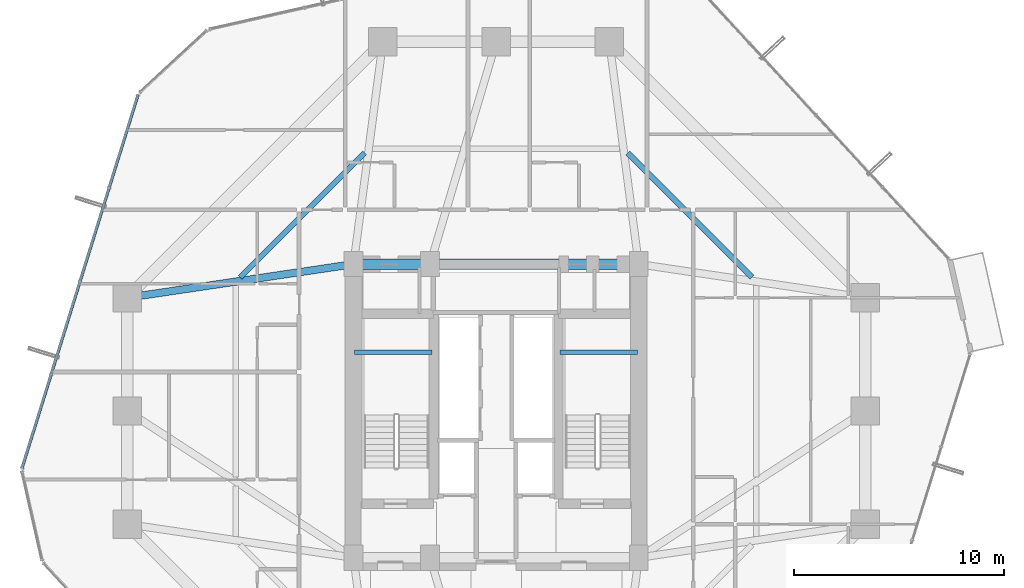
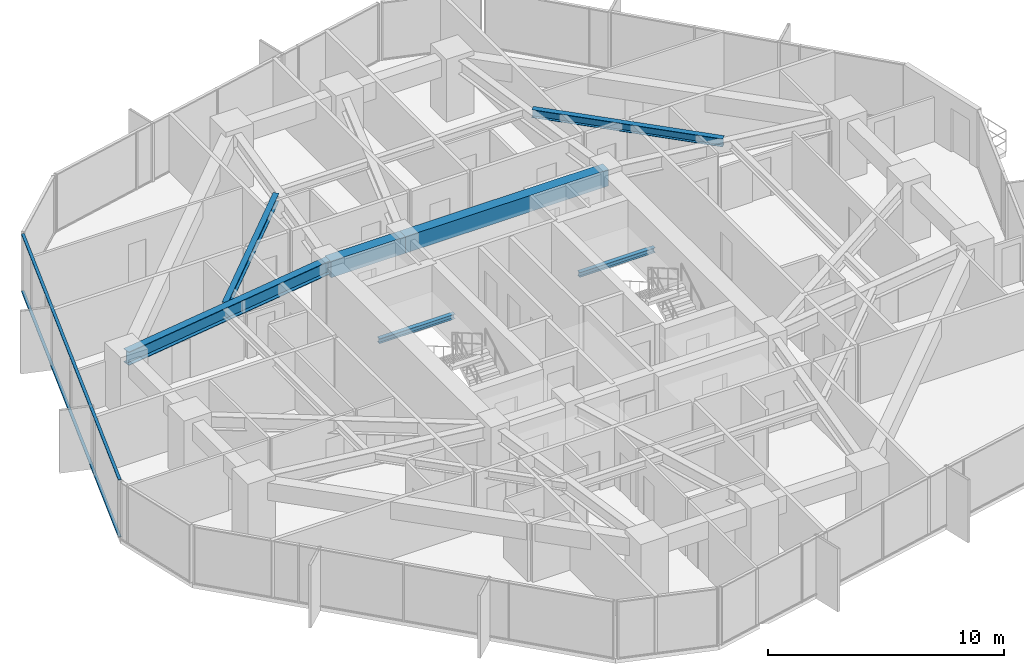
# One storey, part 13 of 39: 7 beams, 2 members, 1 element without a shape of its own.
"""IFC4 building model written with IfcOpenShell, lengths in metres."""

import ifcopenshell
import ifcopenshell.guid

model = None  # the IFC model being written
_history = None  # IfcOwnerHistory: only IFC2X3 demands one
_inside = {}  # id of a spatial element -> (the spatial element, [elements in it])
_under = {}  # id of a project, library or spatial element -> (it, [spatial elements below it])
_declared = {}  # id of a project -> (the project, [libraries it declares])
_typed = {}  # id of a type object -> (the type object, [elements of that type])
_made_of = {}  # id of a material, layer set ... -> (it, [elements and type objects made of it])


def new_model(schema):
    """Start an empty IFC model of exactly this schema.

    Asked for "IFC4X3", IfcOpenShell would pick the latest addendum, in which some entities
    have other attributes; the version numbers below select the first issue.
    IFC2X3 requires an IfcOwnerHistory on every rooted entity: one is made here for all.
    """
    global model, _history
    if schema == "IFC4X3":
        model = ifcopenshell.file(schema_version=(4, 3, 0, 0))
    else:
        model = ifcopenshell.file(schema=schema)
    _inside.clear()
    _under.clear()
    _declared.clear()
    _typed.clear()
    _made_of.clear()
    _history = None
    if model.schema == "IFC2X3":
        org = make("IfcOrganization", Name="unknown")
        user = make(
            "IfcPersonAndOrganization",
            ThePerson=make("IfcPerson", FamilyName="unknown"),
            TheOrganization=org,
        )
        app = make(
            "IfcApplication",
            ApplicationDeveloper=org,
            Version="unknown",
            ApplicationFullName="unknown",
            ApplicationIdentifier="unknown",
        )
        _history = make(
            "IfcOwnerHistory",
            OwningUser=user,
            OwningApplication=app,
            ChangeAction="ADDED",
            CreationDate=0,
        )
    return model


def make(cls, **values):
    """One entity of the class cls with the attributes given. An attribute that is None is left unset."""
    return model.create_entity(
        cls, **{name: value for name, value in values.items() if value is not None}
    )


def rooted(cls, **values):
    """An entity with a GlobalId (a new one), such as an element, a storey or a relation."""
    return make(cls, GlobalId=ifcopenshell.guid.new(), OwnerHistory=_history, **values)


def si_unit(unit_type, name, prefix=None):
    """IfcSIUnit, for example si_unit("LENGTHUNIT", "METRE", prefix="MILLI")."""
    return make("IfcSIUnit", UnitType=unit_type, Prefix=prefix, Name=name)


def assignment(units):
    """IfcUnitAssignment: the units of a project."""
    return None if units is None else make("IfcUnitAssignment", Units=units)


def point(xyz):
    """IfcCartesianPoint."""
    return None if xyz is None else make("IfcCartesianPoint", Coordinates=xyz)


def direction(xyz):
    """IfcDirection."""
    return None if xyz is None else make("IfcDirection", DirectionRatios=xyz)


def frame(location, z_axis=None, x_axis=None):
    """IfcAxis2Placement3D, a coordinate frame: its origin and axes. An axis left out is left unset."""
    return make(
        "IfcAxis2Placement3D",
        Location=point(location),
        Axis=direction(z_axis),
        RefDirection=direction(x_axis),
    )


def frame_2d(location, x_axis=None):
    """IfcAxis2Placement2D, a coordinate frame in the plane: its origin and x axis."""
    return make(
        "IfcAxis2Placement2D", Location=point(location), RefDirection=direction(x_axis)
    )


def origin():
    """The frame at (0, 0, 0) with its axes left unset."""
    return frame((0.0, 0.0, 0.0))


def origin_2d():
    """The frame at (0, 0) in the plane with its x axis left unset."""
    return frame_2d((0.0, 0.0))


def place(relative_to, where):
    """IfcLocalPlacement: puts the frame where relative to a parent placement (None: the world)."""
    return make(
        "IfcLocalPlacement", PlacementRelTo=relative_to, RelativePlacement=where
    )


def context(
    kind, dimensions, precision=None, world=None, true_north=None, identifier=None
):
    """IfcGeometricRepresentationContext, for example the 3D "Model" context."""
    return make(
        "IfcGeometricRepresentationContext",
        ContextIdentifier=identifier,
        ContextType=kind,
        CoordinateSpaceDimension=dimensions,
        Precision=precision,
        WorldCoordinateSystem=world,
        TrueNorth=true_north,
    )


def subcontext(parent, identifier, kind, view, scale=None):
    """IfcGeometricRepresentationSubContext, for example "Body" below "Model"."""
    return make(
        "IfcGeometricRepresentationSubContext",
        ContextIdentifier=identifier,
        ContextType=kind,
        ParentContext=parent,
        TargetScale=scale,
        TargetView=view,
    )


def project(units=None, contexts=None):
    """IfcProject with its units and contexts."""
    return rooted(
        "IfcProject",
        Name="project",
        RepresentationContexts=contexts,
        UnitsInContext=assignment(units),
    )


def spatial(cls, under=None, at=None, **own):
    """A site, building, storey or space (cls), placed at a placement, below another one or the project."""
    s = rooted(cls, ObjectPlacement=at, **own)
    if under is not None:
        _under.setdefault(under.id(), (under, []))[1].append(s)
    return s


def profile(cls, at=None, kind="AREA", **sizes):
    """A parametric profile (cls). Its sizes go by their IFC names, for example OverallWidth=200.0."""
    return make(cls, ProfileType=kind, Position=at, **sizes)


def rectangle(**sizes):
    """IfcRectangleProfileDef."""
    return profile("IfcRectangleProfileDef", **sizes)


def hollow_rectangle(**sizes):
    """IfcRectangleHollowProfileDef."""
    return profile("IfcRectangleHollowProfileDef", **sizes)


def i_section(**sizes):
    """IfcIShapeProfileDef."""
    return profile("IfcIShapeProfileDef", **sizes)


def extrude(swept, where, along, depth):
    """IfcExtrudedAreaSolid: the profile swept, set in the frame where, extruded along a direction by depth."""
    return make(
        "IfcExtrudedAreaSolid",
        SweptArea=swept,
        Position=where,
        ExtrudedDirection=direction(along),
        Depth=depth,
    )


def shape(context_of_items, identifier, shape_type, items):
    """IfcShapeRepresentation: the items that make up one representation, for example the "Body"."""
    return make(
        "IfcShapeRepresentation",
        ContextOfItems=context_of_items,
        RepresentationIdentifier=identifier,
        RepresentationType=shape_type,
        Items=items,
    )


def source(mapping_origin, context_of_items, identifier, shape_type, items):
    """IfcRepresentationMap: a shape defined once, which mapped items show again and again."""
    return make(
        "IfcRepresentationMap",
        MappingOrigin=mapping_origin,
        MappedRepresentation=shape(context_of_items, identifier, shape_type, items),
    )


def transform(
    local_origin,
    x_axis=None,
    y_axis=None,
    z_axis=None,
    scale=None,
    scale2=None,
    scale3=None,
    uniform=True,
):
    """IfcCartesianTransformationOperator3D, or its non-uniform kind. x_axis, y_axis, z_axis: its Axis1, 2, 3."""
    if uniform:
        return make(
            "IfcCartesianTransformationOperator3D",
            Axis1=direction(x_axis),
            Axis2=direction(y_axis),
            LocalOrigin=point(local_origin),
            Scale=scale,
            Axis3=direction(z_axis),
        )
    return make(
        "IfcCartesianTransformationOperator3DnonUniform",
        Axis1=direction(x_axis),
        Axis2=direction(y_axis),
        LocalOrigin=point(local_origin),
        Scale=scale,
        Axis3=direction(z_axis),
        Scale2=scale2,
        Scale3=scale3,
    )


def mapped(mapping_source, mapping_target):
    """IfcMappedItem: shows the shape of a source again, moved by a transform."""
    return make(
        "IfcMappedItem", MappingSource=mapping_source, MappingTarget=mapping_target
    )


def material(Name=None, Category=None):
    """IfcMaterial."""
    return make("IfcMaterial", Name=Name, Category=Category)


def layer(
    of_material, thickness, ventilated=None, Name=None, Category=None, Priority=None
):
    """IfcMaterialLayer: one layer of a wall or slab, of a material (None: an air gap)."""
    return make(
        "IfcMaterialLayer",
        Material=of_material,
        LayerThickness=thickness,
        IsVentilated=ventilated,
        Name=Name,
        Category=Category,
        Priority=Priority,
    )


def layer_set(layers, Name=None):
    """IfcMaterialLayerSet."""
    return make("IfcMaterialLayerSet", MaterialLayers=layers, LayerSetName=Name)


def material_profile(
    of_material, cross_section, Name=None, Category=None, Priority=None
):
    """IfcMaterialProfile: a cross section and its material."""
    return make(
        "IfcMaterialProfile",
        Name=Name,
        Material=of_material,
        Profile=cross_section,
        Priority=Priority,
        Category=Category,
    )


def profile_set(profiles, Name=None, composite=None):
    """IfcMaterialProfileSet."""
    return make(
        "IfcMaterialProfileSet",
        Name=Name,
        MaterialProfiles=profiles,
        CompositeProfile=composite,
    )


def made_of(thing, what):
    """Note that an element or type object is made of a material, layer set ...; save() writes the relation."""
    if what is not None:
        _made_of.setdefault(what.id(), (what, []))[1].append(thing)
    return thing


def type_object(cls, material=None, **own):
    """A type object (cls), such as IfcWallType, which elements share."""
    return made_of(rooted(cls, **own), material)


def element(
    cls,
    number,
    at=None,
    inside=None,
    cuts=None,
    type_object=None,
    material=None,
    context=None,
    identifier="Body",
    shape_type=None,
    held_by="IfcProductDefinitionShape",
    body=None,
    shapes=None,
    **own,
):
    """One element of the class cls, such as IfcWall. Its Tag is "e" and its number.

    at: its placement. inside: the storey or other place that contains it. cuts: it is an
    opening in that element (IfcRelVoidsElement). A single representation is given by context,
    identifier, shape_type and body (its items); several are given by shapes. held_by: the class
    of the entity that holds the representations. save() writes the other relations.
    """
    e = rooted(cls, Tag="e%d" % number, ObjectPlacement=at, **own)
    if body is not None:
        shapes = [shape(context, identifier, shape_type, body)]
    if shapes is not None:
        e.Representation = make(held_by, Representations=shapes)
    if inside is not None:
        _inside.setdefault(inside.id(), (inside, []))[1].append(e)
    if cuts is not None:
        rooted(
            "IfcRelVoidsElement", RelatingBuildingElement=cuts, RelatedOpeningElement=e
        )
    if type_object is not None:
        _typed.setdefault(type_object.id(), (type_object, []))[1].append(e)
    return made_of(e, material)


def aggregate(whole, parts):
    """IfcRelAggregates: a whole, such as a stair, and the parts it consists of."""
    return rooted("IfcRelAggregates", RelatingObject=whole, RelatedObjects=parts)


def save(model, path):
    """Write the relations noted so far, then the file.

    IfcRelAggregates (storeys below a building ...), IfcRelContainedInSpatialStructure (elements
    in a storey), IfcRelDefinesByType, IfcRelAssociatesMaterial and IfcRelDeclares: one each for
    every whole, place, type object, material and project.
    """
    for whole, parts in _under.values():
        aggregate(whole, parts)
    for where, things in _inside.values():
        rooted(
            "IfcRelContainedInSpatialStructure",
            RelatedElements=things,
            RelatingStructure=where,
        )
    for kind, things in _typed.values():
        rooted("IfcRelDefinesByType", RelatedObjects=things, RelatingType=kind)
    for what, things in _made_of.values():
        rooted("IfcRelAssociatesMaterial", RelatedObjects=things, RelatingMaterial=what)
    for by, libraries in _declared.values():
        rooted("IfcRelDeclares", RelatingContext=by, RelatedDefinitions=libraries)
    model.write(path)


model = new_model("IFC4")

# Units and contexts
model_context = context("Model", 3, precision=1e-05, world=origin(), true_north=direction((0.0, 1.0)))
body_context = subcontext(model_context, "Body", "Model", "MODEL_VIEW")
ifc_project = project(units=[si_unit("LENGTHUNIT", "METRE"), si_unit("AREAUNIT", "SQUARE_METRE"), si_unit("VOLUMEUNIT", "CUBIC_METRE"), si_unit("PLANEANGLEUNIT", "RADIAN"), si_unit("MASSUNIT", "GRAM", prefix="KILO")], contexts=[model_context])

# Site, building, storey
site_placement = place(None, origin())
site = spatial("IfcSite", under=ifc_project, at=site_placement, CompositionType="ELEMENT")
building_placement = place(site_placement, origin())
building = spatial("IfcBuilding", under=site, at=building_placement, Name="Veraguas Prism Commons", CompositionType="ELEMENT")
storey_placement = place(building_placement, frame((0.0, 0.0, 67.35009765625)))
storey = spatial("IfcBuildingStorey", under=building, at=storey_placement, Name="L18", CompositionType="ELEMENT", Elevation=67.35009765625)

# Beams
ifc_material_1 = material(Name="Concrete C50/60", Category="concrete")
ifc_material_profile_1 = material_profile(ifc_material_1, rectangle(XDim=0.5, YDim=0.85009765625, at=origin_2d()), Name="RC500X850")
ifc_profile_set_1 = profile_set([ifc_material_profile_1], Name="Concrete C50/60")
beam_type_1 = type_object("IfcBeamType", Name="Core Coupling Beam RC 500x850", PredefinedType="BEAM", material=ifc_profile_set_1)
beam_1_placement = place(storey_placement, frame((17.199951171875, 31.0, 2.574951171875), z_axis=(1.0, 0.0, 0.0), x_axis=(0.0, 1.0, 0.0)))
element("IfcBeam", 1, at=beam_1_placement, inside=storey, type_object=beam_type_1, Name="Core Coupling Beam L18-CRN1", PredefinedType="BEAM", context=body_context, shape_type="SweptSolid", body=[
    extrude(rectangle(XDim=0.5, YDim=0.85009765625, at=origin_2d()), origin(), (0.0, 0.0, 1.0), 3.650146484375),
])
beam_2_placement = place(storey_placement, frame((20.85009765625, 31.0, 2.574951171875), z_axis=(1.0, 0.0, 0.0), x_axis=(0.0, 1.0, 0.0)))
element("IfcBeam", 2, at=beam_2_placement, inside=storey, type_object=beam_type_1, Name="Core Coupling Beam L18-CRN2", PredefinedType="BEAM", context=body_context, shape_type="SweptSolid", body=[
    extrude(rectangle(XDim=0.5, YDim=0.85009765625, at=origin_2d()), origin(), (0.0, 0.0, 1.0), 9.949951171875),
])
ifc_material_2 = material(Name="Steel ASTM A992 Grade 50", Category="steel")
ifc_material_profile_2 = material_profile(ifc_material_2, i_section(OverallWidth=0.260986328125, OverallDepth=0.419921875, WebThickness=0.01171875, FlangeThickness=0.019287109375, at=origin_2d()), Name="W410X114")
ifc_profile_set_2 = profile_set([ifc_material_profile_2], Name="Steel ASTM A992 Grade 50")
beam_type_2 = type_object("IfcBeamType", Name="Lower Floor Joist W410x114", PredefinedType="JOIST", material=ifc_profile_set_2)
for number, where, z_axis, x_axis, name in (
    (3, (36.20703125, 30.376953125, 2.789794921875), (-0.707092226423, 0.70712133565, 0.0), (-0.70712133565, -0.707092226423, 0.0), "Composite Floor Joist L18-JS03"),
    (4, (17.723388671875, 36.3076171875, 2.789794921875), (-0.707092226423, -0.70712133565, 0.0), (0.70712133565, -0.707092226423, 0.0), "Composite Floor Joist L18-JS06"),
):
    element("IfcBeam", number, at=place(storey_placement, frame(where, z_axis=z_axis, x_axis=x_axis)), inside=storey, type_object=beam_type_2, Name=name, PredefinedType="JOIST", context=body_context, shape_type="SweptSolid", body=[
        extrude(i_section(OverallWidth=0.260986328125, OverallDepth=0.419921875, WebThickness=0.01171875, FlangeThickness=0.019287109375, at=origin_2d()), origin(), (0.0, 0.0, 1.0), 8.386962890625),
    ])
ifc_material_profile_3 = material_profile(ifc_material_2, i_section(OverallWidth=0.202880859375, OverallDepth=0.251953125, WebThickness=0.008056640625, FlangeThickness=0.013427734375, at=origin_2d()), Name="W250X58")
ifc_profile_set_3 = profile_set([ifc_material_profile_3], Name="Steel ASTM A992 Grade 50")
beam_type_3 = type_object("IfcBeamType", Name="Structural Opening Lintel W250x58", PredefinedType="LINTEL", material=ifc_profile_set_3)
for number, where, z_axis, x_axis, name in (
    (5, (17.25, 26.800048828125, 1.298828125), (1.0, 0.0, 0.0), (0.0, 1.0, 0.0), "Stair ST-01 Half-Landing Support Beam L18-1"),
    (6, (27.050048828125, 26.800048828125, 1.298828125), (1.0, 0.0, 0.0), (0.0, 1.0, 0.0), "Stair ST-02 Half-Landing Support Beam L18-1"),
):
    element("IfcBeam", number, at=place(storey_placement, frame(where, z_axis=z_axis, x_axis=x_axis)), inside=storey, type_object=beam_type_3, Name=name, PredefinedType="LINTEL", context=body_context, shape_type="SweptSolid", body=[
        extrude(i_section(OverallWidth=0.202880859375, OverallDepth=0.251953125, WebThickness=0.008056640625, FlangeThickness=0.013427734375, at=origin_2d()), origin(), (0.0, 0.0, 1.0), 3.699951171875),
    ])
ifc_material_profile_4 = material_profile(ifc_material_2, i_section(OverallWidth=0.35595703125, OverallDepth=0.700927734375, WebThickness=0.016845703125, FlangeThickness=0.02734375, at=origin_2d()), Name="W690X240")
ifc_profile_set_4 = profile_set([ifc_material_profile_4], Name="Steel ASTM A992 Grade 50")
beam_type_4 = type_object("IfcBeamType", Name="Zone 1 Radial Girder W690x240", PredefinedType="BEAM", material=ifc_profile_set_4)
beam_3_placement = place(storey_placement, frame((6.39990234375, 29.39990234375, 2.6494140625), z_axis=(0.989202261707, 0.146556765224, 0.0), x_axis=(-0.146556765224, 0.989202261707, 0.0)))
element("IfcBeam", 7, at=beam_3_placement, inside=storey, type_object=beam_type_4, Name="Radial Floor Girder L18-RD07", PredefinedType="BEAM", context=body_context, shape_type="SweptSolid", body=[
    extrude(i_section(OverallWidth=0.35595703125, OverallDepth=0.700927734375, WebThickness=0.016845703125, FlangeThickness=0.02734375, at=origin_2d()), origin(), (0.0, 0.0, 1.0), 10.91796875),
])

# Curtain wall, members
ifc_material_3 = material(Name="Anodised aluminium EN AW-6063 T6", Category="aluminium")
ifc_layer = layer(ifc_material_3, 0.169921875, Name="Unitised Flush Curtain Wall Zone 1", Category="aluminium")
ifc_layer_set = layer_set([ifc_layer], Name="Anodised aluminium EN AW-6063 T6")
curtain_wall_type = type_object("IfcCurtainWallType", Name="Unitised Flush Curtain Wall Zone 1", PredefinedType="NOTDEFINED", material=ifc_layer_set)
curtain_wall_placement = place(storey_placement, origin())
curtain_wall = element("IfcCurtainWall", 8, at=curtain_wall_placement, inside=storey, type_object=curtain_wall_type, Name="Tower Facade Curtain Wall L18-F3", PredefinedType="NOTDEFINED")
ifc_material_profile_5 = material_profile(ifc_material_3, hollow_rectangle(XDim=0.054931640625, YDim=0.135009765625, WallThickness=0.0029296875, at=origin_2d()), Name="AL55X135X3")
ifc_profile_set_5 = profile_set([ifc_material_profile_5], Name="Anodised aluminium EN AW-6063 T6")
member_type = type_object("IfcMemberType", Name="Curtain Wall Transom Standard AL 55x135x3", PredefinedType="USERDEFINED", material=ifc_profile_set_5)
shared_shape = source(origin(), body_context, "Body", "SweptSolid", [
    extrude(hollow_rectangle(XDim=0.054931640625, YDim=0.135009765625, WallThickness=0.0029296875, at=origin_2d()), origin(), (0.0, 0.0, 1.0), 18.623779296875),
])
member_1_placement = place(storey_placement, frame((6.914306640625, 39.0595703125, 0.02734375), z_axis=(-0.296710091084, -0.954967602513, 0.0), x_axis=(0.0, 0.0, 1.0)))
member_1 = element("IfcMember", 9, at=member_1_placement, type_object=member_type, Name="CW-Z1 Transom 1", ObjectType="TRANSOM", PredefinedType="USERDEFINED", context=body_context, shape_type="MappedRepresentation", body=[
    mapped(shared_shape, transform((0.0, 0.0, 0.0), scale=1.0)),
])
member_2_placement = place(storey_placement, frame((6.914306640625, 39.0595703125, 2.972412109375), z_axis=(-0.296710091084, -0.954967602513, 0.0), x_axis=(0.0, 0.0, 1.0)))
member_2 = element("IfcMember", 10, at=member_2_placement, type_object=member_type, Name="CW-Z1 Transom 2", ObjectType="TRANSOM", PredefinedType="USERDEFINED", context=body_context, shape_type="MappedRepresentation", body=[
    mapped(shared_shape, transform((0.0, 0.0, 0.0), scale=1.0)),
])
aggregate(curtain_wall, [member_1, member_2])

save(model, "model.ifc")
